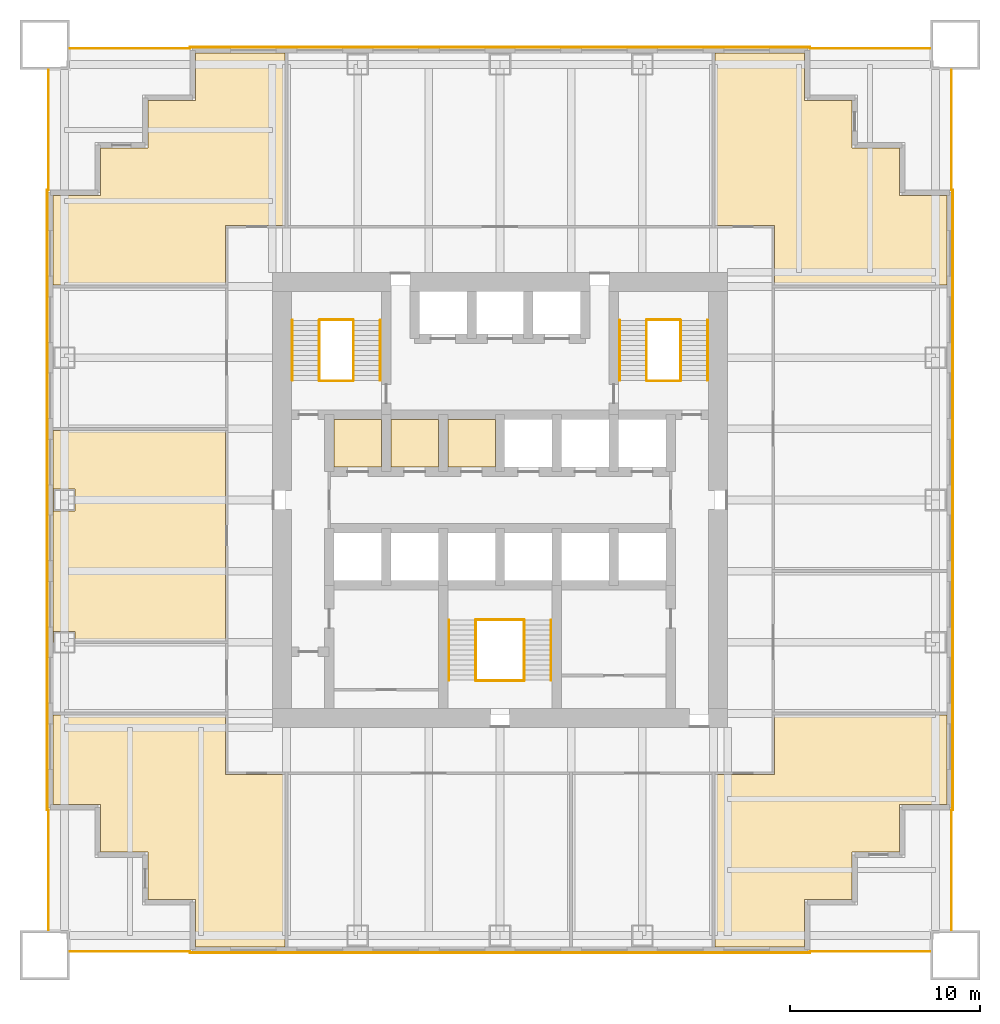
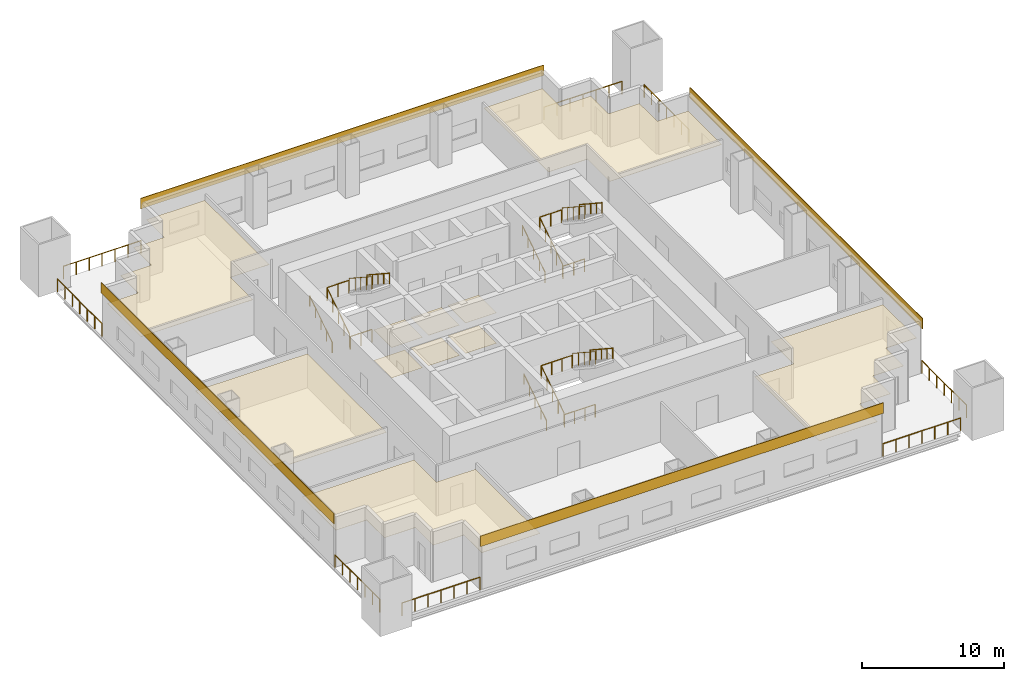
# One storey, part 6 of 6: 26 railings, 15 coverings.
"""IFC4 building model written with IfcOpenShell, lengths in metres."""

from ifc_helpers import new_model, si_unit, direction, frame, origin, origin_2d, place, context, subcontext, project, spatial, polyline, rectangle, circle, outline, extrude, material, layer, layer_set, type_object, element, save


model = new_model("IFC4")

# Units and contexts
model_context = context("Model", 3, precision=1e-05, world=origin(), true_north=direction((0.0, 1.0)))
body_context = subcontext(model_context, "Body", "Model", "MODEL_VIEW")
ifc_project = project(units=[si_unit("LENGTHUNIT", "METRE"), si_unit("AREAUNIT", "SQUARE_METRE"), si_unit("VOLUMEUNIT", "CUBIC_METRE"), si_unit("PLANEANGLEUNIT", "RADIAN"), si_unit("MASSUNIT", "GRAM", prefix="KILO")], contexts=[model_context])

# Site, building, storey
site_placement = place(None, origin())
site = spatial("IfcSite", under=ifc_project, at=site_placement, CompositionType="ELEMENT")
building_placement = place(site_placement, origin())
building = spatial("IfcBuilding", under=site, at=building_placement, Name="Tarangal Relay Tower", CompositionType="ELEMENT")
storey_placement = place(building_placement, frame((0.0, 0.0, 140.39990234375)))
storey = spatial("IfcBuildingStorey", under=building, at=storey_placement, Name="L28", CompositionType="ELEMENT", Elevation=140.39990234375)

# Coverings
ifc_material_1 = material(Name="Anti-static vinyl flooring", Category="plastic")
ifc_layer_1 = layer(ifc_material_1, 0.010009765625)
ifc_layer_set_1 = layer_set([ifc_layer_1], Name="Anti-static vinyl floor")
covering_type_1 = type_object("IfcCoveringType", Name="Anti-static vinyl floor", PredefinedType="FLOORING", material=ifc_layer_set_1)
covering_1_placement = place(storey_placement, origin())
element("IfcCovering", 1, at=covering_1_placement, inside=storey, type_object=covering_type_1, Name="Floor finish FL1 L28-D1", PredefinedType="FLOORING", context=body_context, shape_type="SweptSolid", body=[
    extrude(outline(polyline([(-8.75, 1.75), (-6.25, 1.75), (-6.25, 4.25), (-8.75, 4.25), (-8.75, 1.75)])), origin(), (0.0, 0.0, 1.0), 0.010009765625),
])
covering_2_placement = place(storey_placement, origin())
element("IfcCovering", 2, at=covering_2_placement, inside=storey, type_object=covering_type_1, Name="Floor finish FL1 L28-D2", PredefinedType="FLOORING", context=body_context, shape_type="SweptSolid", body=[
    extrude(outline(polyline([(-5.75, 1.75), (-3.25, 1.75), (-3.25, 4.25), (-5.75, 4.25), (-5.75, 1.75)])), origin(), (0.0, 0.0, 1.0), 0.010009765625),
])
covering_3_placement = place(storey_placement, origin())
element("IfcCovering", 3, at=covering_3_placement, inside=storey, type_object=covering_type_1, Name="Floor finish FL1 L28-D3", PredefinedType="FLOORING", context=body_context, shape_type="SweptSolid", body=[
    extrude(outline(polyline([(-2.75, 1.75), (-0.25, 1.75), (-0.25, 4.25), (-2.75, 4.25), (-2.75, 1.75)])), origin(), (0.0, 0.0, 1.0), 0.010009765625),
])
ifc_material_2 = material(Name="Black anodised aluminium cladding", Category="aluminium")
ifc_layer_2 = layer(ifc_material_2, 0.050048828125)
ifc_layer_set_2 = layer_set([ifc_layer_2], Name="Black metal spandrel band")
covering_type_2 = type_object("IfcCoveringType", Name="Black metal spandrel band", PredefinedType="CLADDING", material=ifc_layer_set_2)
for number, where, z_axis, x_axis, name in (
    (4, (0.0, 23.875, 3.750244140625), (0.0, 0.0, 1.0), (1.0, 0.0, 0.0), "Spandrel band SB1 N L28"),
    (5, (23.875, 0.0, 3.750244140625), (0.0, 0.0, 1.0), (0.0, -1.0, 0.0), "Spandrel band SB1 E L28"),
    (6, (0.0, -23.875, 3.750244140625), (0.0, 0.0, 1.0), (-1.0, 0.0, 0.0), "Spandrel band SB1 S L28"),
    (7, (-23.875, 0.0, 3.750244140625), (0.0, 0.0, 1.0), (0.0, 1.0, 0.0), "Spandrel band SB1 W L28"),
):
    element("IfcCovering", number, at=place(storey_placement, frame(where, z_axis=z_axis, x_axis=x_axis)), inside=storey, type_object=covering_type_2, Name=name, PredefinedType="CLADDING", context=body_context, shape_type="SweptSolid", body=[
        extrude(rectangle(XDim=32.699951171875, YDim=0.050048828125, at=origin_2d()), origin(), (0.0, 0.0, 1.0), 0.89990234375),
    ])

# Railings
ifc_material_3 = material(Name="Steel guard, black finish", Category="steel")
railing_type_1 = type_object("IfcRailingType", Name="Stair guard 1100", PredefinedType="GUARDRAIL", material=ifc_material_3)
railing_1_placement = place(storey_placement, frame((-9.530029296875, 6.300048828125, 0.173095703125)))
element("IfcRailing", 8, at=railing_1_placement, inside=storey, type_object=railing_type_1, Name="Stair ST-A guard GR1 L28 flight 1", PredefinedType="GUARDRAIL", context=body_context, shape_type="SweptSolid", body=[
    extrude(circle(Radius=0.02392578125, at=origin_2d()), frame((0.0, 0.0, 1.076171875), z_axis=(0.0, 0.83629911093, 0.548273469226), x_axis=(-1.0, 0.0, 0.0)), (0.0, 0.0, 1.0), 3.7880859375),
    extrude(circle(Radius=0.02099609375, at=origin_2d()), origin(), (0.0, 0.0, 1.0), 1.052001953125),
    extrude(circle(Radius=0.02099609375, at=origin_2d()), frame((0.0, 0.7919921875, 0.519287109375)), (0.0, 0.0, 1.0), 1.052001953125),
    extrude(circle(Radius=0.02099609375, at=origin_2d()), frame((0.0, 1.583984375, 1.03857421875)), (0.0, 0.0, 1.0), 1.052001953125),
    extrude(circle(Radius=0.02099609375, at=origin_2d()), frame((0.0, 2.3759765625, 1.5576171875)), (0.0, 0.0, 1.0), 1.052001953125),
    extrude(circle(Radius=0.02099609375, at=origin_2d()), frame((0.0, 3.16796875, 2.076904296875)), (0.0, 0.0, 1.0), 1.052001953125),
])
railing_2_placement = place(storey_placement, frame((-7.719970703125, 9.468017578125, 2.423095703125)))
element("IfcRailing", 9, at=railing_2_placement, inside=storey, type_object=railing_type_1, Name="Stair ST-A guard GR1 L28 flight 2", PredefinedType="GUARDRAIL", context=body_context, shape_type="SweptSolid", body=[
    extrude(circle(Radius=0.02392578125, at=origin_2d()), frame((0.0, 0.0, 1.076171875), z_axis=(0.0, -0.83629911093, 0.548273469226), x_axis=(1.0, 0.0, 0.0)), (0.0, 0.0, 1.0), 3.7880859375),
    extrude(circle(Radius=0.02099609375, at=origin_2d()), origin(), (0.0, 0.0, 1.0), 1.052001953125),
    extrude(circle(Radius=0.02099609375, at=origin_2d()), frame((0.0, -0.7919921875, 0.519287109375)), (0.0, 0.0, 1.0), 1.052001953125),
    extrude(circle(Radius=0.02099609375, at=origin_2d()), frame((0.0, -1.583984375, 1.03857421875)), (0.0, 0.0, 1.0), 1.052001953125),
    extrude(circle(Radius=0.02099609375, at=origin_2d()), frame((0.0, -2.3759765625, 1.5576171875)), (0.0, 0.0, 1.0), 1.052001953125),
    extrude(circle(Radius=0.02099609375, at=origin_2d()), frame((0.0, -3.16796875, 2.076904296875)), (0.0, 0.0, 1.0), 1.052001953125),
])
for number, where, name in (
    (10, (-9.5, 6.27001953125, 0.0), "Stair ST-A landing guard GR1 L28"),
    (11, (-9.5, 9.498046875, 2.25), "Stair ST-A landing guard GR1 L28"),
):
    element("IfcRailing", number, at=place(storey_placement, frame(where)), inside=storey, type_object=railing_type_1, Name=name, PredefinedType="GUARDRAIL", context=body_context, shape_type="SweptSolid", body=[
        extrude(circle(Radius=0.02392578125, at=origin_2d()), frame((0.0, 0.0, 1.076171875), z_axis=(1.0, 0.0, 0.0), x_axis=(0.0, 1.0, 0.0)), (0.0, 0.0, 1.0), 1.75),
        extrude(circle(Radius=0.02099609375, at=origin_2d()), origin(), (0.0, 0.0, 1.0), 1.052001953125),
        extrude(circle(Radius=0.02099609375, at=origin_2d()), frame((0.875, 0.0, 0.0)), (0.0, 0.0, 1.0), 1.052001953125),
        extrude(circle(Radius=0.02099609375, at=origin_2d()), frame((1.75, 0.0, 0.0)), (0.0, 0.0, 1.0), 1.052001953125),
    ])
railing_3_placement = place(storey_placement, frame((7.719970703125, 6.300048828125, 0.173095703125)))
element("IfcRailing", 12, at=railing_3_placement, inside=storey, type_object=railing_type_1, Name="Stair ST-B guard GR1 L28 flight 1", PredefinedType="GUARDRAIL", context=body_context, shape_type="SweptSolid", body=[
    extrude(circle(Radius=0.02392578125, at=origin_2d()), frame((0.0, 0.0, 1.076171875), z_axis=(0.0, 0.83629911093, 0.548273469226), x_axis=(-1.0, 0.0, 0.0)), (0.0, 0.0, 1.0), 3.7880859375),
    extrude(circle(Radius=0.02099609375, at=origin_2d()), origin(), (0.0, 0.0, 1.0), 1.052001953125),
    extrude(circle(Radius=0.02099609375, at=origin_2d()), frame((0.0, 0.7919921875, 0.519287109375)), (0.0, 0.0, 1.0), 1.052001953125),
    extrude(circle(Radius=0.02099609375, at=origin_2d()), frame((0.0, 1.583984375, 1.03857421875)), (0.0, 0.0, 1.0), 1.052001953125),
    extrude(circle(Radius=0.02099609375, at=origin_2d()), frame((0.0, 2.3759765625, 1.5576171875)), (0.0, 0.0, 1.0), 1.052001953125),
    extrude(circle(Radius=0.02099609375, at=origin_2d()), frame((0.0, 3.16796875, 2.076904296875)), (0.0, 0.0, 1.0), 1.052001953125),
])
railing_4_placement = place(storey_placement, frame((9.530029296875, 9.468017578125, 2.423095703125)))
element("IfcRailing", 13, at=railing_4_placement, inside=storey, type_object=railing_type_1, Name="Stair ST-B guard GR1 L28 flight 2", PredefinedType="GUARDRAIL", context=body_context, shape_type="SweptSolid", body=[
    extrude(circle(Radius=0.02392578125, at=origin_2d()), frame((0.0, 0.0, 1.076171875), z_axis=(0.0, -0.83629911093, 0.548273469226), x_axis=(1.0, 0.0, 0.0)), (0.0, 0.0, 1.0), 3.7880859375),
    extrude(circle(Radius=0.02099609375, at=origin_2d()), origin(), (0.0, 0.0, 1.0), 1.052001953125),
    extrude(circle(Radius=0.02099609375, at=origin_2d()), frame((0.0, -0.7919921875, 0.519287109375)), (0.0, 0.0, 1.0), 1.052001953125),
    extrude(circle(Radius=0.02099609375, at=origin_2d()), frame((0.0, -1.583984375, 1.03857421875)), (0.0, 0.0, 1.0), 1.052001953125),
    extrude(circle(Radius=0.02099609375, at=origin_2d()), frame((0.0, -2.3759765625, 1.5576171875)), (0.0, 0.0, 1.0), 1.052001953125),
    extrude(circle(Radius=0.02099609375, at=origin_2d()), frame((0.0, -3.16796875, 2.076904296875)), (0.0, 0.0, 1.0), 1.052001953125),
])
for number, where, name in (
    (14, (7.75, 6.27001953125, 0.0), "Stair ST-B landing guard GR1 L28"),
    (15, (7.75, 9.498046875, 2.25), "Stair ST-B landing guard GR1 L28"),
):
    element("IfcRailing", number, at=place(storey_placement, frame(where)), inside=storey, type_object=railing_type_1, Name=name, PredefinedType="GUARDRAIL", context=body_context, shape_type="SweptSolid", body=[
        extrude(circle(Radius=0.02392578125, at=origin_2d()), frame((0.0, 0.0, 1.076171875), z_axis=(1.0, 0.0, 0.0), x_axis=(0.0, 1.0, 0.0)), (0.0, 0.0, 1.0), 1.75),
        extrude(circle(Radius=0.02099609375, at=origin_2d()), origin(), (0.0, 0.0, 1.0), 1.052001953125),
        extrude(circle(Radius=0.02099609375, at=origin_2d()), frame((0.875, 0.0, 0.0)), (0.0, 0.0, 1.0), 1.052001953125),
        extrude(circle(Radius=0.02099609375, at=origin_2d()), frame((1.75, 0.0, 0.0)), (0.0, 0.0, 1.0), 1.052001953125),
    ])
railing_5_placement = place(storey_placement, frame((-1.280029296875, -9.5, 0.173095703125)))
element("IfcRailing", 16, at=railing_5_placement, inside=storey, type_object=railing_type_1, Name="Stair ST-C guard GR1 L28 flight 1", PredefinedType="GUARDRAIL", context=body_context, shape_type="SweptSolid", body=[
    extrude(circle(Radius=0.02392578125, at=origin_2d()), frame((0.0, 0.0, 1.076171875), z_axis=(0.0, 0.83629911093, 0.548273469226), x_axis=(-1.0, 0.0, 0.0)), (0.0, 0.0, 1.0), 3.7880859375),
    extrude(circle(Radius=0.02099609375, at=origin_2d()), origin(), (0.0, 0.0, 1.0), 1.052001953125),
    extrude(circle(Radius=0.02099609375, at=origin_2d()), frame((0.0, 0.7919921875, 0.519287109375)), (0.0, 0.0, 1.0), 1.052001953125),
    extrude(circle(Radius=0.02099609375, at=origin_2d()), frame((0.0, 1.583984375, 1.03857421875)), (0.0, 0.0, 1.0), 1.052001953125),
    extrude(circle(Radius=0.02099609375, at=origin_2d()), frame((0.0, 2.3759765625, 1.5576171875)), (0.0, 0.0, 1.0), 1.052001953125),
    extrude(circle(Radius=0.02099609375, at=origin_2d()), frame((0.0, 3.16796875, 2.076904296875)), (0.0, 0.0, 1.0), 1.052001953125),
])
railing_6_placement = place(storey_placement, frame((1.280029296875, -6.33203125, 2.423095703125)))
element("IfcRailing", 17, at=railing_6_placement, inside=storey, type_object=railing_type_1, Name="Stair ST-C guard GR1 L28 flight 2", PredefinedType="GUARDRAIL", context=body_context, shape_type="SweptSolid", body=[
    extrude(circle(Radius=0.02392578125, at=origin_2d()), frame((0.0, 0.0, 1.076171875), z_axis=(0.0, -0.83629911093, 0.548273469226), x_axis=(1.0, 0.0, 0.0)), (0.0, 0.0, 1.0), 3.7880859375),
    extrude(circle(Radius=0.02099609375, at=origin_2d()), origin(), (0.0, 0.0, 1.0), 1.052001953125),
    extrude(circle(Radius=0.02099609375, at=origin_2d()), frame((0.0, -0.7919921875, 0.519287109375)), (0.0, 0.0, 1.0), 1.052001953125),
    extrude(circle(Radius=0.02099609375, at=origin_2d()), frame((0.0, -1.583984375, 1.03857421875)), (0.0, 0.0, 1.0), 1.052001953125),
    extrude(circle(Radius=0.02099609375, at=origin_2d()), frame((0.0, -2.3759765625, 1.5576171875)), (0.0, 0.0, 1.0), 1.052001953125),
    extrude(circle(Radius=0.02099609375, at=origin_2d()), frame((0.0, -3.16796875, 2.076904296875)), (0.0, 0.0, 1.0), 1.052001953125),
])
for number, where, name in (
    (18, (-1.25, -9.530029296875, 0.0), "Stair ST-C landing guard GR1 L28"),
    (19, (-1.25, -6.302001953125, 2.25), "Stair ST-C landing guard GR1 L28"),
):
    element("IfcRailing", number, at=place(storey_placement, frame(where)), inside=storey, type_object=railing_type_1, Name=name, PredefinedType="GUARDRAIL", context=body_context, shape_type="SweptSolid", body=[
        extrude(circle(Radius=0.02392578125, at=origin_2d()), frame((0.0, 0.0, 1.076171875), z_axis=(1.0, 0.0, 0.0), x_axis=(0.0, 1.0, 0.0)), (0.0, 0.0, 1.0), 2.5),
        extrude(circle(Radius=0.02099609375, at=origin_2d()), origin(), (0.0, 0.0, 1.0), 1.052001953125),
        extrude(circle(Radius=0.02099609375, at=origin_2d()), frame((0.833251953125, 0.0, 0.0)), (0.0, 0.0, 1.0), 1.052001953125),
        extrude(circle(Radius=0.02099609375, at=origin_2d()), frame((1.666748046875, 0.0, 0.0)), (0.0, 0.0, 1.0), 1.052001953125),
        extrude(circle(Radius=0.02099609375, at=origin_2d()), frame((2.5, 0.0, 0.0)), (0.0, 0.0, 1.0), 1.052001953125),
    ])
ifc_material_4 = material(Name="Steel handrail, black finish", Category="steel")
railing_type_2 = type_object("IfcRailingType", Name="Stair handrail 900", PredefinedType="HANDRAIL", material=ifc_material_4)
railing_7_placement = place(storey_placement, frame((-10.93994140625, 6.300048828125, 0.173095703125)))
element("IfcRailing", 20, at=railing_7_placement, inside=storey, type_object=railing_type_2, Name="Stair ST-A handrail HR1 L28 flight 1", PredefinedType="HANDRAIL", context=body_context, shape_type="SweptSolid", body=[
    extrude(circle(Radius=0.02392578125, at=origin_2d()), frame((0.0, 0.0, 0.8759765625), z_axis=(0.0, 0.83629911093, 0.548273469226), x_axis=(-1.0, 0.0, 0.0)), (0.0, 0.0, 1.0), 3.7880859375),
    extrude(circle(Radius=0.02099609375, at=origin_2d()), origin(), (0.0, 0.0, 1.0), 0.851806640625),
    extrude(circle(Radius=0.02099609375, at=origin_2d()), frame((0.0, 0.7919921875, 0.519287109375)), (0.0, 0.0, 1.0), 0.851806640625),
    extrude(circle(Radius=0.02099609375, at=origin_2d()), frame((0.0, 1.583984375, 1.03857421875)), (0.0, 0.0, 1.0), 0.851806640625),
    extrude(circle(Radius=0.02099609375, at=origin_2d()), frame((0.0, 2.3759765625, 1.5576171875)), (0.0, 0.0, 1.0), 0.851806640625),
    extrude(circle(Radius=0.02099609375, at=origin_2d()), frame((0.0, 3.16796875, 2.076904296875)), (0.0, 0.0, 1.0), 0.851806640625),
])
railing_8_placement = place(storey_placement, frame((-6.31005859375, 9.468017578125, 2.423095703125)))
element("IfcRailing", 21, at=railing_8_placement, inside=storey, type_object=railing_type_2, Name="Stair ST-A handrail HR1 L28 flight 2", PredefinedType="HANDRAIL", context=body_context, shape_type="SweptSolid", body=[
    extrude(circle(Radius=0.02392578125, at=origin_2d()), frame((0.0, 0.0, 0.8759765625), z_axis=(0.0, -0.83629911093, 0.548273469226), x_axis=(1.0, 0.0, 0.0)), (0.0, 0.0, 1.0), 3.7880859375),
    extrude(circle(Radius=0.02099609375, at=origin_2d()), origin(), (0.0, 0.0, 1.0), 0.851806640625),
    extrude(circle(Radius=0.02099609375, at=origin_2d()), frame((0.0, -0.7919921875, 0.519287109375)), (0.0, 0.0, 1.0), 0.851806640625),
    extrude(circle(Radius=0.02099609375, at=origin_2d()), frame((0.0, -1.583984375, 1.03857421875)), (0.0, 0.0, 1.0), 0.851806640625),
    extrude(circle(Radius=0.02099609375, at=origin_2d()), frame((0.0, -2.3759765625, 1.5576171875)), (0.0, 0.0, 1.0), 0.851806640625),
    extrude(circle(Radius=0.02099609375, at=origin_2d()), frame((0.0, -3.16796875, 2.076904296875)), (0.0, 0.0, 1.0), 0.851806640625),
])
railing_9_placement = place(storey_placement, frame((6.31005859375, 6.300048828125, 0.173095703125)))
element("IfcRailing", 22, at=railing_9_placement, inside=storey, type_object=railing_type_2, Name="Stair ST-B handrail HR1 L28 flight 1", PredefinedType="HANDRAIL", context=body_context, shape_type="SweptSolid", body=[
    extrude(circle(Radius=0.02392578125, at=origin_2d()), frame((0.0, 0.0, 0.8759765625), z_axis=(0.0, 0.83629911093, 0.548273469226), x_axis=(-1.0, 0.0, 0.0)), (0.0, 0.0, 1.0), 3.7880859375),
    extrude(circle(Radius=0.02099609375, at=origin_2d()), origin(), (0.0, 0.0, 1.0), 0.851806640625),
    extrude(circle(Radius=0.02099609375, at=origin_2d()), frame((0.0, 0.7919921875, 0.519287109375)), (0.0, 0.0, 1.0), 0.851806640625),
    extrude(circle(Radius=0.02099609375, at=origin_2d()), frame((0.0, 1.583984375, 1.03857421875)), (0.0, 0.0, 1.0), 0.851806640625),
    extrude(circle(Radius=0.02099609375, at=origin_2d()), frame((0.0, 2.3759765625, 1.5576171875)), (0.0, 0.0, 1.0), 0.851806640625),
    extrude(circle(Radius=0.02099609375, at=origin_2d()), frame((0.0, 3.16796875, 2.076904296875)), (0.0, 0.0, 1.0), 0.851806640625),
])
railing_10_placement = place(storey_placement, frame((10.93994140625, 9.468017578125, 2.423095703125)))
element("IfcRailing", 23, at=railing_10_placement, inside=storey, type_object=railing_type_2, Name="Stair ST-B handrail HR1 L28 flight 2", PredefinedType="HANDRAIL", context=body_context, shape_type="SweptSolid", body=[
    extrude(circle(Radius=0.02392578125, at=origin_2d()), frame((0.0, 0.0, 0.8759765625), z_axis=(0.0, -0.83629911093, 0.548273469226), x_axis=(1.0, 0.0, 0.0)), (0.0, 0.0, 1.0), 3.7880859375),
    extrude(circle(Radius=0.02099609375, at=origin_2d()), origin(), (0.0, 0.0, 1.0), 0.851806640625),
    extrude(circle(Radius=0.02099609375, at=origin_2d()), frame((0.0, -0.7919921875, 0.519287109375)), (0.0, 0.0, 1.0), 0.851806640625),
    extrude(circle(Radius=0.02099609375, at=origin_2d()), frame((0.0, -1.583984375, 1.03857421875)), (0.0, 0.0, 1.0), 0.851806640625),
    extrude(circle(Radius=0.02099609375, at=origin_2d()), frame((0.0, -2.3759765625, 1.5576171875)), (0.0, 0.0, 1.0), 0.851806640625),
    extrude(circle(Radius=0.02099609375, at=origin_2d()), frame((0.0, -3.16796875, 2.076904296875)), (0.0, 0.0, 1.0), 0.851806640625),
])
railing_11_placement = place(storey_placement, frame((-2.68994140625, -9.5, 0.173095703125)))
element("IfcRailing", 24, at=railing_11_placement, inside=storey, type_object=railing_type_2, Name="Stair ST-C handrail HR1 L28 flight 1", PredefinedType="HANDRAIL", context=body_context, shape_type="SweptSolid", body=[
    extrude(circle(Radius=0.02392578125, at=origin_2d()), frame((0.0, 0.0, 0.8759765625), z_axis=(0.0, 0.83629911093, 0.548273469226), x_axis=(-1.0, 0.0, 0.0)), (0.0, 0.0, 1.0), 3.7880859375),
    extrude(circle(Radius=0.02099609375, at=origin_2d()), origin(), (0.0, 0.0, 1.0), 0.851806640625),
    extrude(circle(Radius=0.02099609375, at=origin_2d()), frame((0.0, 0.7919921875, 0.519287109375)), (0.0, 0.0, 1.0), 0.851806640625),
    extrude(circle(Radius=0.02099609375, at=origin_2d()), frame((0.0, 1.583984375, 1.03857421875)), (0.0, 0.0, 1.0), 0.851806640625),
    extrude(circle(Radius=0.02099609375, at=origin_2d()), frame((0.0, 2.3759765625, 1.5576171875)), (0.0, 0.0, 1.0), 0.851806640625),
    extrude(circle(Radius=0.02099609375, at=origin_2d()), frame((0.0, 3.16796875, 2.076904296875)), (0.0, 0.0, 1.0), 0.851806640625),
])
railing_12_placement = place(storey_placement, frame((2.68994140625, -6.33203125, 2.423095703125)))
element("IfcRailing", 25, at=railing_12_placement, inside=storey, type_object=railing_type_2, Name="Stair ST-C handrail HR1 L28 flight 2", PredefinedType="HANDRAIL", context=body_context, shape_type="SweptSolid", body=[
    extrude(circle(Radius=0.02392578125, at=origin_2d()), frame((0.0, 0.0, 0.8759765625), z_axis=(0.0, -0.83629911093, 0.548273469226), x_axis=(1.0, 0.0, 0.0)), (0.0, 0.0, 1.0), 3.7880859375),
    extrude(circle(Radius=0.02099609375, at=origin_2d()), origin(), (0.0, 0.0, 1.0), 0.851806640625),
    extrude(circle(Radius=0.02099609375, at=origin_2d()), frame((0.0, -0.7919921875, 0.519287109375)), (0.0, 0.0, 1.0), 0.851806640625),
    extrude(circle(Radius=0.02099609375, at=origin_2d()), frame((0.0, -1.583984375, 1.03857421875)), (0.0, 0.0, 1.0), 0.851806640625),
    extrude(circle(Radius=0.02099609375, at=origin_2d()), frame((0.0, -2.3759765625, 1.5576171875)), (0.0, 0.0, 1.0), 0.851806640625),
    extrude(circle(Radius=0.02099609375, at=origin_2d()), frame((0.0, -3.16796875, 2.076904296875)), (0.0, 0.0, 1.0), 0.851806640625),
])

# Coverings
ifc_material_5 = material(Name="Mineral fibre ceiling tiles", Category="gypsum")
ifc_layer_3 = layer(ifc_material_5, 0.02001953125)
ifc_layer_set_3 = layer_set([ifc_layer_3], Name="Suspended ceiling")
covering_type_3 = type_object("IfcCoveringType", Name="Suspended ceiling", PredefinedType="CEILING", material=ifc_layer_set_3)
covering_4_placement = place(storey_placement, frame((0.0, 0.0, 2.60009765625)))
element("IfcCovering", 26, at=covering_4_placement, inside=storey, type_object=covering_type_3, Name="Suspended ceiling CL1 L28-D1", PredefinedType="CEILING", context=body_context, shape_type="SweptSolid", body=[
    extrude(outline(polyline([(-8.75, 1.75), (-6.25, 1.75), (-6.25, 4.25), (-8.75, 4.25), (-8.75, 1.75)])), origin(), (0.0, 0.0, 1.0), 0.02001953125),
])
covering_5_placement = place(storey_placement, frame((0.0, 0.0, 2.60009765625)))
element("IfcCovering", 27, at=covering_5_placement, inside=storey, type_object=covering_type_3, Name="Suspended ceiling CL1 L28-D2", PredefinedType="CEILING", context=body_context, shape_type="SweptSolid", body=[
    extrude(outline(polyline([(-5.75, 1.75), (-3.25, 1.75), (-3.25, 4.25), (-5.75, 4.25), (-5.75, 1.75)])), origin(), (0.0, 0.0, 1.0), 0.02001953125),
])
covering_6_placement = place(storey_placement, frame((0.0, 0.0, 2.60009765625)))
element("IfcCovering", 28, at=covering_6_placement, inside=storey, type_object=covering_type_3, Name="Suspended ceiling CL1 L28-D3", PredefinedType="CEILING", context=body_context, shape_type="SweptSolid", body=[
    extrude(outline(polyline([(-2.75, 1.75), (-0.25, 1.75), (-0.25, 4.25), (-2.75, 4.25), (-2.75, 1.75)])), origin(), (0.0, 0.0, 1.0), 0.02001953125),
])
covering_7_placement = place(storey_placement, frame((0.0, 0.0, 2.900146484375)))
element("IfcCovering", 29, at=covering_7_placement, inside=storey, type_object=covering_type_3, Name="Suspended ceiling CL1 L28-08", PredefinedType="CEILING", context=body_context, shape_type="SweptSolid", body=[
    extrude(outline(polyline([(-23.550048828125, 3.675048828125), (-23.550048828125, -7.5), (-23.5400390625, -7.5), (-23.5400390625, -6.925048828125), (-22.389892578125, -6.925048828125), (-22.389892578125, -7.425048828125), (-14.47509765625, -7.425048828125), (-14.47509765625, 3.675048828125), (-23.550048828125, 3.675048828125)]), holes=[polyline([(-22.389892578125, -0.574951171875), (-22.389892578125, 0.574951171875), (-23.5400390625, 0.574951171875), (-23.5400390625, -0.574951171875), (-22.389892578125, -0.574951171875)])]), origin(), (0.0, 0.0, 1.0), 0.02001953125),
])
covering_8_placement = place(storey_placement, frame((0.0, 0.0, 2.900146484375)))
element("IfcCovering", 30, at=covering_8_placement, inside=storey, type_object=covering_type_3, Name="Suspended ceiling CL1 L28-10", PredefinedType="CEILING", context=body_context, shape_type="SweptSolid", body=[
    extrude(outline(polyline([(16.050048828125, 23.550048828125), (11.324951171875, 23.550048828125), (11.324951171875, 14.47509765625), (14.47509765625, 14.47509765625), (14.47509765625, 11.324951171875), (23.550048828125, 11.324951171875), (23.550048828125, 16.050048828125), (21.050048828125, 16.050048828125), (21.050048828125, 18.550048828125), (18.550048828125, 18.550048828125), (18.550048828125, 21.050048828125), (16.050048828125, 21.050048828125), (16.050048828125, 23.550048828125)])), origin(), (0.0, 0.0, 1.0), 0.02001953125),
])
covering_9_placement = place(storey_placement, frame((0.0, 0.0, 2.900146484375)))
element("IfcCovering", 31, at=covering_9_placement, inside=storey, type_object=covering_type_3, Name="Suspended ceiling CL1 L28-11", PredefinedType="CEILING", context=body_context, shape_type="SweptSolid", body=[
    extrude(outline(polyline([(23.550048828125, -16.050048828125), (23.550048828125, -11.324951171875), (14.47509765625, -11.324951171875), (14.47509765625, -14.47509765625), (11.324951171875, -14.47509765625), (11.324951171875, -23.550048828125), (16.050048828125, -23.550048828125), (16.050048828125, -21.050048828125), (18.550048828125, -21.050048828125), (18.550048828125, -18.550048828125), (21.050048828125, -18.550048828125), (21.050048828125, -16.050048828125), (23.550048828125, -16.050048828125)])), origin(), (0.0, 0.0, 1.0), 0.02001953125),
])
covering_10_placement = place(storey_placement, frame((0.0, 0.0, 2.900146484375)))
element("IfcCovering", 32, at=covering_10_placement, inside=storey, type_object=covering_type_3, Name="Suspended ceiling CL1 L28-12", PredefinedType="CEILING", context=body_context, shape_type="SweptSolid", body=[
    extrude(outline(polyline([(-16.050048828125, -21.050048828125), (-16.050048828125, -23.550048828125), (-11.324951171875, -23.550048828125), (-11.324951171875, -14.47509765625), (-14.47509765625, -14.47509765625), (-14.47509765625, -11.324951171875), (-23.550048828125, -11.324951171875), (-23.550048828125, -16.050048828125), (-21.050048828125, -16.050048828125), (-21.050048828125, -18.550048828125), (-18.550048828125, -18.550048828125), (-18.550048828125, -21.050048828125), (-16.050048828125, -21.050048828125)])), origin(), (0.0, 0.0, 1.0), 0.02001953125),
])
covering_11_placement = place(storey_placement, frame((0.0, 0.0, 2.900146484375)))
element("IfcCovering", 33, at=covering_11_placement, inside=storey, type_object=covering_type_3, Name="Suspended ceiling CL1 L28-13", PredefinedType="CEILING", context=body_context, shape_type="SweptSolid", body=[
    extrude(outline(polyline([(-21.050048828125, 16.050048828125), (-23.550048828125, 16.050048828125), (-23.550048828125, 11.324951171875), (-14.47509765625, 11.324951171875), (-14.47509765625, 14.47509765625), (-11.324951171875, 14.47509765625), (-11.324951171875, 23.550048828125), (-16.050048828125, 23.550048828125), (-16.050048828125, 21.050048828125), (-18.550048828125, 21.050048828125), (-18.550048828125, 18.550048828125), (-21.050048828125, 18.550048828125), (-21.050048828125, 16.050048828125)])), origin(), (0.0, 0.0, 1.0), 0.02001953125),
])

# Railings
ifc_material_6 = material(Name="Black steel guard with glass infill", Category="steel")
railing_type_3 = type_object("IfcRailingType", Name="Terrace guard 1100", PredefinedType="GUARDRAIL", material=ifc_material_6)
railing_13_placement = place(storey_placement, frame((16.35009765625, 23.800048828125, 0.0)))
element("IfcRailing", 34, at=railing_13_placement, inside=storey, type_object=railing_type_3, Name="Terrace guard GR2 NE L28", PredefinedType="GUARDRAIL", context=body_context, shape_type="SweptSolid", body=[
    extrude(circle(Radius=0.02392578125, at=origin_2d()), frame((0.0, 0.0, 1.076171875), z_axis=(1.0, 0.0, 0.0), x_axis=(0.0, 1.0, 0.0)), (0.0, 0.0, 1.0), 6.2998046875),
    extrude(circle(Radius=0.02099609375, at=origin_2d()), origin(), (0.0, 0.0, 1.0), 1.052001953125),
    extrude(circle(Radius=0.02099609375, at=origin_2d()), frame((1.050048828125, 0.0, 0.0)), (0.0, 0.0, 1.0), 1.052001953125),
    extrude(circle(Radius=0.02099609375, at=origin_2d()), frame((2.099853515625, 0.0, 0.0)), (0.0, 0.0, 1.0), 1.052001953125),
    extrude(circle(Radius=0.02099609375, at=origin_2d()), frame((3.14990234375, 0.0, 0.0)), (0.0, 0.0, 1.0), 1.052001953125),
    extrude(circle(Radius=0.02099609375, at=origin_2d()), frame((4.199951171875, 0.0, 0.0)), (0.0, 0.0, 1.0), 1.052001953125),
    extrude(circle(Radius=0.02099609375, at=origin_2d()), frame((5.249755859375, 0.0, 0.0)), (0.0, 0.0, 1.0), 1.052001953125),
    extrude(circle(Radius=0.02099609375, at=origin_2d()), frame((6.2998046875, 0.0, 0.0)), (0.0, 0.0, 1.0), 1.052001953125),
])
for number, where, name in (
    (35, (23.800048828125, 22.64990234375, 0.0), "Terrace guard GR2 NE L28"),
    (36, (23.800048828125, -16.35009765625, 0.0), "Terrace guard GR2 SE L28"),
):
    element("IfcRailing", number, at=place(storey_placement, frame(where)), inside=storey, type_object=railing_type_3, Name=name, PredefinedType="GUARDRAIL", context=body_context, shape_type="SweptSolid", body=[
        extrude(circle(Radius=0.02392578125, at=origin_2d()), frame((0.0, 0.0, 1.076171875), z_axis=(0.0, -1.0, 0.0), x_axis=(1.0, 0.0, 0.0)), (0.0, 0.0, 1.0), 6.2998046875),
        extrude(circle(Radius=0.02099609375, at=origin_2d()), origin(), (0.0, 0.0, 1.0), 1.052001953125),
        extrude(circle(Radius=0.02099609375, at=origin_2d()), frame((0.0, -1.050048828125, 0.0)), (0.0, 0.0, 1.0), 1.052001953125),
        extrude(circle(Radius=0.02099609375, at=origin_2d()), frame((0.0, -2.099853515625, 0.0)), (0.0, 0.0, 1.0), 1.052001953125),
        extrude(circle(Radius=0.02099609375, at=origin_2d()), frame((0.0, -3.14990234375, 0.0)), (0.0, 0.0, 1.0), 1.052001953125),
        extrude(circle(Radius=0.02099609375, at=origin_2d()), frame((0.0, -4.199951171875, 0.0)), (0.0, 0.0, 1.0), 1.052001953125),
        extrude(circle(Radius=0.02099609375, at=origin_2d()), frame((0.0, -5.249755859375, 0.0)), (0.0, 0.0, 1.0), 1.052001953125),
        extrude(circle(Radius=0.02099609375, at=origin_2d()), frame((0.0, -6.2998046875, 0.0)), (0.0, 0.0, 1.0), 1.052001953125),
    ])
for number, where, name in (
    (37, (22.64990234375, -23.800048828125, 0.0), "Terrace guard GR2 SE L28"),
    (38, (-16.35009765625, -23.800048828125, 0.0), "Terrace guard GR2 SW L28"),
):
    element("IfcRailing", number, at=place(storey_placement, frame(where)), inside=storey, type_object=railing_type_3, Name=name, PredefinedType="GUARDRAIL", context=body_context, shape_type="SweptSolid", body=[
        extrude(circle(Radius=0.02392578125, at=origin_2d()), frame((0.0, 0.0, 1.076171875), z_axis=(-1.0, 0.0, 0.0), x_axis=(0.0, -1.0, 0.0)), (0.0, 0.0, 1.0), 6.2998046875),
        extrude(circle(Radius=0.02099609375, at=origin_2d()), origin(), (0.0, 0.0, 1.0), 1.052001953125),
        extrude(circle(Radius=0.02099609375, at=origin_2d()), frame((-1.050048828125, 0.0, 0.0)), (0.0, 0.0, 1.0), 1.052001953125),
        extrude(circle(Radius=0.02099609375, at=origin_2d()), frame((-2.099853515625, 0.0, 0.0)), (0.0, 0.0, 1.0), 1.052001953125),
        extrude(circle(Radius=0.02099609375, at=origin_2d()), frame((-3.14990234375, 0.0, 0.0)), (0.0, 0.0, 1.0), 1.052001953125),
        extrude(circle(Radius=0.02099609375, at=origin_2d()), frame((-4.199951171875, 0.0, 0.0)), (0.0, 0.0, 1.0), 1.052001953125),
        extrude(circle(Radius=0.02099609375, at=origin_2d()), frame((-5.249755859375, 0.0, 0.0)), (0.0, 0.0, 1.0), 1.052001953125),
        extrude(circle(Radius=0.02099609375, at=origin_2d()), frame((-6.2998046875, 0.0, 0.0)), (0.0, 0.0, 1.0), 1.052001953125),
    ])
for number, where, name in (
    (39, (-23.800048828125, -22.64990234375, 0.0), "Terrace guard GR2 SW L28"),
    (40, (-23.800048828125, 16.35009765625, 0.0), "Terrace guard GR2 NW L28"),
):
    element("IfcRailing", number, at=place(storey_placement, frame(where)), inside=storey, type_object=railing_type_3, Name=name, PredefinedType="GUARDRAIL", context=body_context, shape_type="SweptSolid", body=[
        extrude(circle(Radius=0.02392578125, at=origin_2d()), frame((0.0, 0.0, 1.076171875), z_axis=(0.0, 1.0, 0.0), x_axis=(-1.0, 0.0, 0.0)), (0.0, 0.0, 1.0), 6.2998046875),
        extrude(circle(Radius=0.02099609375, at=origin_2d()), origin(), (0.0, 0.0, 1.0), 1.052001953125),
        extrude(circle(Radius=0.02099609375, at=origin_2d()), frame((0.0, 1.050048828125, 0.0)), (0.0, 0.0, 1.0), 1.052001953125),
        extrude(circle(Radius=0.02099609375, at=origin_2d()), frame((0.0, 2.099853515625, 0.0)), (0.0, 0.0, 1.0), 1.052001953125),
        extrude(circle(Radius=0.02099609375, at=origin_2d()), frame((0.0, 3.14990234375, 0.0)), (0.0, 0.0, 1.0), 1.052001953125),
        extrude(circle(Radius=0.02099609375, at=origin_2d()), frame((0.0, 4.199951171875, 0.0)), (0.0, 0.0, 1.0), 1.052001953125),
        extrude(circle(Radius=0.02099609375, at=origin_2d()), frame((0.0, 5.249755859375, 0.0)), (0.0, 0.0, 1.0), 1.052001953125),
        extrude(circle(Radius=0.02099609375, at=origin_2d()), frame((0.0, 6.2998046875, 0.0)), (0.0, 0.0, 1.0), 1.052001953125),
    ])
railing_14_placement = place(storey_placement, frame((-22.64990234375, 23.800048828125, 0.0)))
element("IfcRailing", 41, at=railing_14_placement, inside=storey, type_object=railing_type_3, Name="Terrace guard GR2 NW L28", PredefinedType="GUARDRAIL", context=body_context, shape_type="SweptSolid", body=[
    extrude(circle(Radius=0.02392578125, at=origin_2d()), frame((0.0, 0.0, 1.076171875), z_axis=(1.0, 0.0, 0.0), x_axis=(0.0, 1.0, 0.0)), (0.0, 0.0, 1.0), 6.2998046875),
    extrude(circle(Radius=0.02099609375, at=origin_2d()), origin(), (0.0, 0.0, 1.0), 1.052001953125),
    extrude(circle(Radius=0.02099609375, at=origin_2d()), frame((1.050048828125, 0.0, 0.0)), (0.0, 0.0, 1.0), 1.052001953125),
    extrude(circle(Radius=0.02099609375, at=origin_2d()), frame((2.099853515625, 0.0, 0.0)), (0.0, 0.0, 1.0), 1.052001953125),
    extrude(circle(Radius=0.02099609375, at=origin_2d()), frame((3.14990234375, 0.0, 0.0)), (0.0, 0.0, 1.0), 1.052001953125),
    extrude(circle(Radius=0.02099609375, at=origin_2d()), frame((4.199951171875, 0.0, 0.0)), (0.0, 0.0, 1.0), 1.052001953125),
    extrude(circle(Radius=0.02099609375, at=origin_2d()), frame((5.249755859375, 0.0, 0.0)), (0.0, 0.0, 1.0), 1.052001953125),
    extrude(circle(Radius=0.02099609375, at=origin_2d()), frame((6.2998046875, 0.0, 0.0)), (0.0, 0.0, 1.0), 1.052001953125),
])

save(model, "model.ifc")
